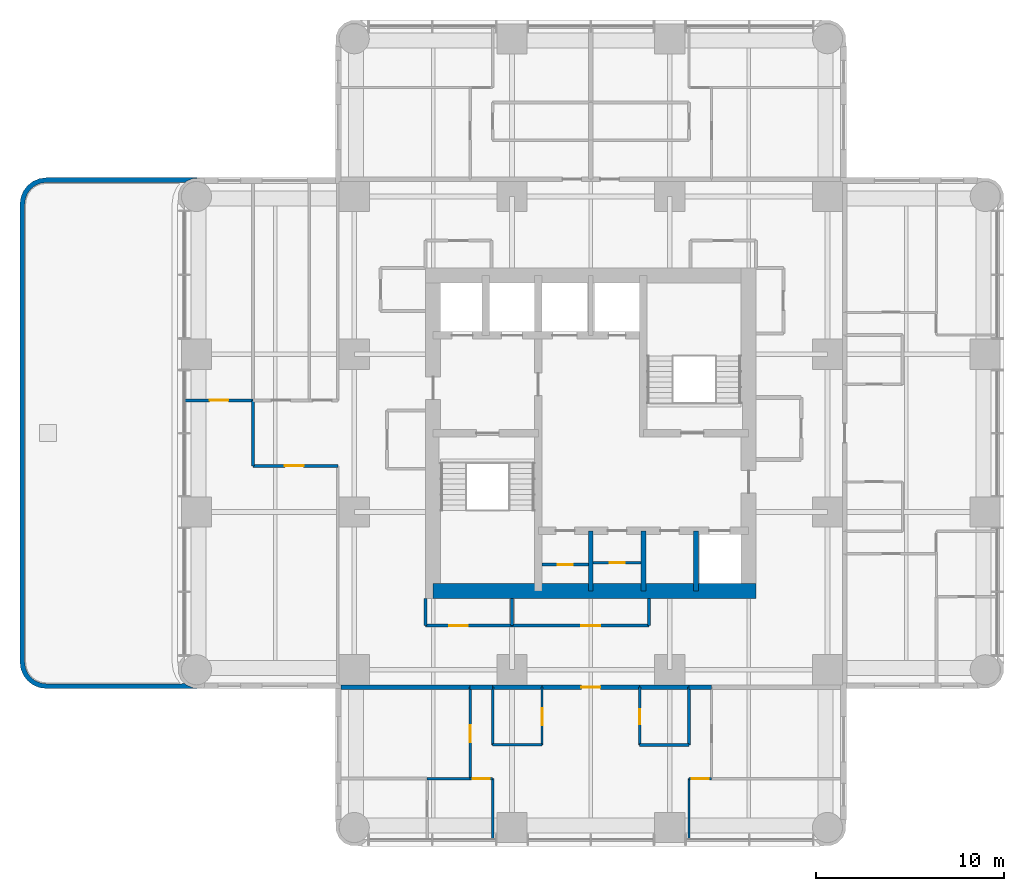
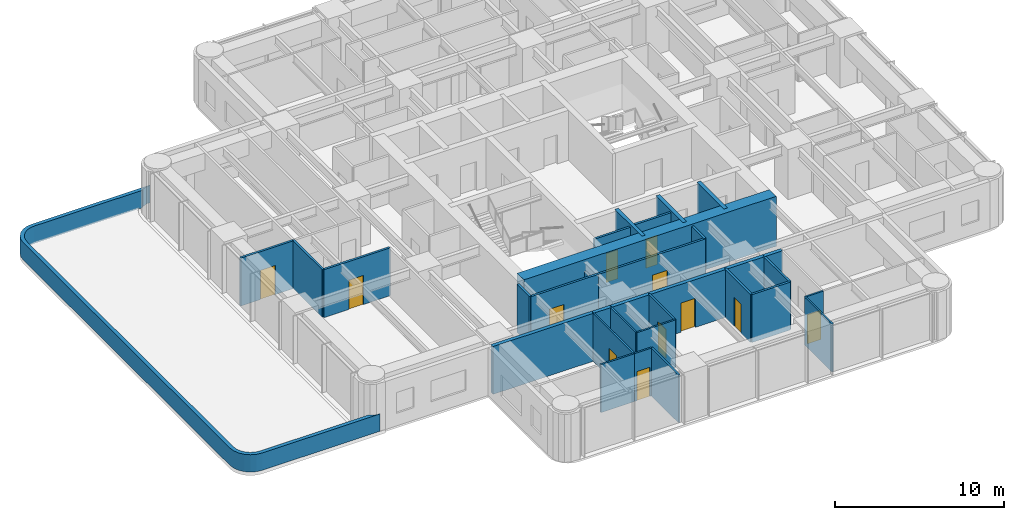
# One storey, part 4 of 9: 33 walls, 12 doors, 12 openings.
"""IFC4 building model written with IfcOpenShell, lengths in metres."""

import ifcopenshell
import ifcopenshell.guid

model = None  # the IFC model being written
_history = None  # IfcOwnerHistory: only IFC2X3 demands one
_inside = {}  # id of a spatial element -> (the spatial element, [elements in it])
_under = {}  # id of a project, library or spatial element -> (it, [spatial elements below it])
_declared = {}  # id of a project -> (the project, [libraries it declares])
_typed = {}  # id of a type object -> (the type object, [elements of that type])
_made_of = {}  # id of a material, layer set ... -> (it, [elements and type objects made of it])


def new_model(schema):
    """Start an empty IFC model of exactly this schema.

    Asked for "IFC4X3", IfcOpenShell would pick the latest addendum, in which some entities
    have other attributes; the version numbers below select the first issue.
    IFC2X3 requires an IfcOwnerHistory on every rooted entity: one is made here for all.
    """
    global model, _history
    if schema == "IFC4X3":
        model = ifcopenshell.file(schema_version=(4, 3, 0, 0))
    else:
        model = ifcopenshell.file(schema=schema)
    _inside.clear()
    _under.clear()
    _declared.clear()
    _typed.clear()
    _made_of.clear()
    _history = None
    if model.schema == "IFC2X3":
        org = make("IfcOrganization", Name="unknown")
        user = make(
            "IfcPersonAndOrganization",
            ThePerson=make("IfcPerson", FamilyName="unknown"),
            TheOrganization=org,
        )
        app = make(
            "IfcApplication",
            ApplicationDeveloper=org,
            Version="unknown",
            ApplicationFullName="unknown",
            ApplicationIdentifier="unknown",
        )
        _history = make(
            "IfcOwnerHistory",
            OwningUser=user,
            OwningApplication=app,
            ChangeAction="ADDED",
            CreationDate=0,
        )
    return model


def make(cls, **values):
    """One entity of the class cls with the attributes given. An attribute that is None is left unset."""
    return model.create_entity(
        cls, **{name: value for name, value in values.items() if value is not None}
    )


def rooted(cls, **values):
    """An entity with a GlobalId (a new one), such as an element, a storey or a relation."""
    return make(cls, GlobalId=ifcopenshell.guid.new(), OwnerHistory=_history, **values)


def si_unit(unit_type, name, prefix=None):
    """IfcSIUnit, for example si_unit("LENGTHUNIT", "METRE", prefix="MILLI")."""
    return make("IfcSIUnit", UnitType=unit_type, Prefix=prefix, Name=name)


def assignment(units):
    """IfcUnitAssignment: the units of a project."""
    return None if units is None else make("IfcUnitAssignment", Units=units)


def point(xyz):
    """IfcCartesianPoint."""
    return None if xyz is None else make("IfcCartesianPoint", Coordinates=xyz)


def direction(xyz):
    """IfcDirection."""
    return None if xyz is None else make("IfcDirection", DirectionRatios=xyz)


def frame(location, z_axis=None, x_axis=None):
    """IfcAxis2Placement3D, a coordinate frame: its origin and axes. An axis left out is left unset."""
    return make(
        "IfcAxis2Placement3D",
        Location=point(location),
        Axis=direction(z_axis),
        RefDirection=direction(x_axis),
    )


def frame_2d(location, x_axis=None):
    """IfcAxis2Placement2D, a coordinate frame in the plane: its origin and x axis."""
    return make(
        "IfcAxis2Placement2D", Location=point(location), RefDirection=direction(x_axis)
    )


def origin():
    """The frame at (0, 0, 0) with its axes left unset."""
    return frame((0.0, 0.0, 0.0))


def place(relative_to, where):
    """IfcLocalPlacement: puts the frame where relative to a parent placement (None: the world)."""
    return make(
        "IfcLocalPlacement", PlacementRelTo=relative_to, RelativePlacement=where
    )


def context(
    kind, dimensions, precision=None, world=None, true_north=None, identifier=None
):
    """IfcGeometricRepresentationContext, for example the 3D "Model" context."""
    return make(
        "IfcGeometricRepresentationContext",
        ContextIdentifier=identifier,
        ContextType=kind,
        CoordinateSpaceDimension=dimensions,
        Precision=precision,
        WorldCoordinateSystem=world,
        TrueNorth=true_north,
    )


def subcontext(parent, identifier, kind, view, scale=None):
    """IfcGeometricRepresentationSubContext, for example "Body" below "Model"."""
    return make(
        "IfcGeometricRepresentationSubContext",
        ContextIdentifier=identifier,
        ContextType=kind,
        ParentContext=parent,
        TargetScale=scale,
        TargetView=view,
    )


def project(units=None, contexts=None):
    """IfcProject with its units and contexts."""
    return rooted(
        "IfcProject",
        Name="project",
        RepresentationContexts=contexts,
        UnitsInContext=assignment(units),
    )


def spatial(cls, under=None, at=None, **own):
    """A site, building, storey or space (cls), placed at a placement, below another one or the project."""
    s = rooted(cls, ObjectPlacement=at, **own)
    if under is not None:
        _under.setdefault(under.id(), (under, []))[1].append(s)
    return s


def polyline(points):
    """IfcPolyline through the points."""
    return make("IfcPolyline", Points=[point(p) for p in points])


def profile(cls, at=None, kind="AREA", **sizes):
    """A parametric profile (cls). Its sizes go by their IFC names, for example OverallWidth=200.0."""
    return make(cls, ProfileType=kind, Position=at, **sizes)


def rectangle(**sizes):
    """IfcRectangleProfileDef."""
    return profile("IfcRectangleProfileDef", **sizes)


def outline(outer, holes=None, kind="AREA"):
    """IfcArbitraryClosedProfileDef: a profile drawn as a closed curve; with holes, ...WithVoids."""
    if holes is None:
        return make("IfcArbitraryClosedProfileDef", ProfileType=kind, OuterCurve=outer)
    return make(
        "IfcArbitraryProfileDefWithVoids",
        ProfileType=kind,
        OuterCurve=outer,
        InnerCurves=holes,
    )


def extrude(swept, where, along, depth):
    """IfcExtrudedAreaSolid: the profile swept, set in the frame where, extruded along a direction by depth."""
    return make(
        "IfcExtrudedAreaSolid",
        SweptArea=swept,
        Position=where,
        ExtrudedDirection=direction(along),
        Depth=depth,
    )


def shape(context_of_items, identifier, shape_type, items):
    """IfcShapeRepresentation: the items that make up one representation, for example the "Body"."""
    return make(
        "IfcShapeRepresentation",
        ContextOfItems=context_of_items,
        RepresentationIdentifier=identifier,
        RepresentationType=shape_type,
        Items=items,
    )


def material(Name=None, Category=None):
    """IfcMaterial."""
    return make("IfcMaterial", Name=Name, Category=Category)


def layer(
    of_material, thickness, ventilated=None, Name=None, Category=None, Priority=None
):
    """IfcMaterialLayer: one layer of a wall or slab, of a material (None: an air gap)."""
    return make(
        "IfcMaterialLayer",
        Material=of_material,
        LayerThickness=thickness,
        IsVentilated=ventilated,
        Name=Name,
        Category=Category,
        Priority=Priority,
    )


def layer_set(layers, Name=None):
    """IfcMaterialLayerSet."""
    return make("IfcMaterialLayerSet", MaterialLayers=layers, LayerSetName=Name)


def made_of(thing, what):
    """Note that an element or type object is made of a material, layer set ...; save() writes the relation."""
    if what is not None:
        _made_of.setdefault(what.id(), (what, []))[1].append(thing)
    return thing


def type_object(cls, material=None, **own):
    """A type object (cls), such as IfcWallType, which elements share."""
    return made_of(rooted(cls, **own), material)


def element(
    cls,
    number,
    at=None,
    inside=None,
    cuts=None,
    type_object=None,
    material=None,
    context=None,
    identifier="Body",
    shape_type=None,
    held_by="IfcProductDefinitionShape",
    body=None,
    shapes=None,
    **own,
):
    """One element of the class cls, such as IfcWall. Its Tag is "e" and its number.

    at: its placement. inside: the storey or other place that contains it. cuts: it is an
    opening in that element (IfcRelVoidsElement). A single representation is given by context,
    identifier, shape_type and body (its items); several are given by shapes. held_by: the class
    of the entity that holds the representations. save() writes the other relations.
    """
    e = rooted(cls, Tag="e%d" % number, ObjectPlacement=at, **own)
    if body is not None:
        shapes = [shape(context, identifier, shape_type, body)]
    if shapes is not None:
        e.Representation = make(held_by, Representations=shapes)
    if inside is not None:
        _inside.setdefault(inside.id(), (inside, []))[1].append(e)
    if cuts is not None:
        rooted(
            "IfcRelVoidsElement", RelatingBuildingElement=cuts, RelatedOpeningElement=e
        )
    if type_object is not None:
        _typed.setdefault(type_object.id(), (type_object, []))[1].append(e)
    return made_of(e, material)


def fill(opening, filler):
    """IfcRelFillsElement: the door or window that sits in an opening."""
    return rooted(
        "IfcRelFillsElement",
        RelatingOpeningElement=opening,
        RelatedBuildingElement=filler,
    )


def aggregate(whole, parts):
    """IfcRelAggregates: a whole, such as a stair, and the parts it consists of."""
    return rooted("IfcRelAggregates", RelatingObject=whole, RelatedObjects=parts)


def save(model, path):
    """Write the relations noted so far, then the file.

    IfcRelAggregates (storeys below a building ...), IfcRelContainedInSpatialStructure (elements
    in a storey), IfcRelDefinesByType, IfcRelAssociatesMaterial and IfcRelDeclares: one each for
    every whole, place, type object, material and project.
    """
    for whole, parts in _under.values():
        aggregate(whole, parts)
    for where, things in _inside.values():
        rooted(
            "IfcRelContainedInSpatialStructure",
            RelatedElements=things,
            RelatingStructure=where,
        )
    for kind, things in _typed.values():
        rooted("IfcRelDefinesByType", RelatedObjects=things, RelatingType=kind)
    for what, things in _made_of.values():
        rooted("IfcRelAssociatesMaterial", RelatedObjects=things, RelatingMaterial=what)
    for by, libraries in _declared.values():
        rooted("IfcRelDeclares", RelatingContext=by, RelatedDefinitions=libraries)
    model.write(path)


model = new_model("IFC4")

# Units and contexts
model_context = context("Model", 3, precision=1e-05, world=origin(), true_north=direction((0.0, 1.0)))
body_context = subcontext(model_context, "Body", "Model", "MODEL_VIEW")
ifc_project = project(units=[si_unit("LENGTHUNIT", "METRE"), si_unit("AREAUNIT", "SQUARE_METRE"), si_unit("VOLUMEUNIT", "CUBIC_METRE"), si_unit("PLANEANGLEUNIT", "RADIAN"), si_unit("MASSUNIT", "GRAM", prefix="KILO")], contexts=[model_context])

# Site, building, storey
site_placement = place(None, origin())
site = spatial("IfcSite", under=ifc_project, at=site_placement, CompositionType="ELEMENT")
building_placement = place(site_placement, origin())
building = spatial("IfcBuilding", under=site, at=building_placement, Name="Torre Alcanfor", CompositionType="ELEMENT")
storey_placement = place(building_placement, frame((0.0, 0.0, 254.10009765625)))
storey = spatial("IfcBuildingStorey", under=building, at=storey_placement, Name="L66", CompositionType="ELEMENT", Elevation=254.10009765625)

# Wall, opening, door
ifc_material_1 = material(Name="Concrete block masonry, hollow blocks NMX-C-404 9 MPa", Category="masonry")
ifc_layer_1 = layer(ifc_material_1, 0.25)
ifc_layer_set_1 = layer_set([ifc_layer_1], Name="Apartment entrance wall 250 EI 60")
wall_type_1 = type_object("IfcWallType", Name="Apartment entrance wall 250 EI 60", PredefinedType="PARTITIONING", material=ifc_layer_set_1)
wall_1_placement = place(storey_placement, frame((32.0, 15.875, 0.0), z_axis=(0.0, 0.0, 1.0), x_axis=(-1.0, 0.0, 0.0)))
wall_1 = element("IfcWall", 1, at=wall_1_placement, inside=storey, type_object=wall_type_1, Name="Partition L66-CORR / L66-SX-ZAG", PredefinedType="PARTITIONING", context=body_context, shape_type="SweptSolid", body=[
    extrude(rectangle(XDim=5.199951171875, YDim=0.25, at=frame_2d((2.60009765625, 0.0))), origin(), (0.0, 0.0, 1.0), 3.449951171875),
])
opening_1_placement = place(wall_1_placement, frame((2.10009765625, 0.0, 0.0)))
opening_1 = element("IfcOpeningElement", 2, at=opening_1_placement, cuts=wall_1, Name="Opening D-A1", PredefinedType="OPENING", context=body_context, shape_type="SweptSolid", body=[
    extrude(rectangle(XDim=1.0, YDim=2.10009765625, at=frame_2d((0.5, 1.050048828125))), frame((0.0, 0.135009765625, 0.0), z_axis=(0.0, -1.0, 0.0), x_axis=(1.0, 0.0, 0.0)), (0.0, 0.0, 1.0), 0.27001953125),
])
ifc_material_2 = material(Name="Galvanised steel sheet ASTM A653", Category="steel")
door_type_1 = type_object("IfcDoorType", Name="Apartment entrance door FD60 1000x2100", OperationType="SINGLE_SWING_LEFT", PredefinedType="DOOR", material=ifc_material_2)
door_1_placement = place(opening_1_placement, origin())
door_1 = element("IfcDoor", 3, at=door_1_placement, inside=storey, type_object=door_type_1, Name="Apartment entrance L66-SX", OperationType="SINGLE_SWING_LEFT", OverallHeight=2.10009765625, OverallWidth=1.0, PredefinedType="DOOR", context=body_context, shape_type="SweptSolid", body=[
    extrude(rectangle(XDim=1.0, YDim=2.10009765625, at=frame_2d((0.5, 1.050048828125))), frame((0.0, 0.02490234375, 0.0), z_axis=(0.0, -1.0, 0.0), x_axis=(1.0, 0.0, 0.0)), (0.0, 0.0, 1.0), 0.050048828125),
])
fill(opening_1, door_1)

# Walls
wall_2_placement = place(storey_placement, frame((34.62890625, 15.875, 0.0), z_axis=(0.0, 0.0, 1.0), x_axis=(-1.0, 0.0, 0.0)))
element("IfcWall", 4, at=wall_2_placement, inside=storey, type_object=wall_type_1, Name="Partition L66-CORR / L66-SX-BATH2", PredefinedType="PARTITIONING", context=body_context, shape_type="SweptSolid", body=[
    extrude(rectangle(XDim=2.62890625, YDim=0.25, at=frame_2d((1.314453125, 0.0))), origin(), (0.0, 0.0, 1.0), 3.449951171875),
])
wall_3_placement = place(storey_placement, frame((26.800048828125, 15.875, 0.0), z_axis=(0.0, 0.0, 1.0), x_axis=(-1.0, 0.0, 0.0)))
element("IfcWall", 5, at=wall_3_placement, inside=storey, type_object=wall_type_1, Name="Partition L66-CORR / L66-SX-KITCHEN", PredefinedType="PARTITIONING", context=body_context, shape_type="SweptSolid", body=[
    extrude(rectangle(XDim=2.629150390625, YDim=0.25, at=frame_2d((1.314453125, 0.0))), origin(), (0.0, 0.0, 1.0), 3.449951171875),
])
wall_4_placement = place(storey_placement, frame((24.1708984375, 15.875, 0.0), z_axis=(0.0, 0.0, 1.0), x_axis=(-1.0, 0.0, 0.0)))
element("IfcWall", 6, at=wall_4_placement, inside=storey, type_object=wall_type_1, Name="Partition L66-CORR / L66-SX-LIVING", PredefinedType="PARTITIONING", context=body_context, shape_type="SweptSolid", body=[
    extrude(rectangle(XDim=1.199951171875, YDim=0.25, at=frame_2d((0.60009765625, 0.0))), origin(), (0.0, 0.0, 1.0), 3.449951171875),
])
wall_5_placement = place(storey_placement, frame((35.8291015625, 15.875, 0.0), z_axis=(0.0, 0.0, 1.0), x_axis=(-1.0, 0.0, 0.0)))
element("IfcWall", 7, at=wall_5_placement, inside=storey, type_object=wall_type_1, Name="Partition L66-CORR / L66-SX-LIVING", PredefinedType="PARTITIONING", context=body_context, shape_type="SweptSolid", body=[
    extrude(rectangle(XDim=1.2001953125, YDim=0.25, at=frame_2d((0.60009765625, 0.0))), origin(), (0.0, 0.0, 1.0), 3.449951171875),
])
wall_6_placement = place(storey_placement, frame((22.970947265625, 15.875, 0.0), z_axis=(0.0, 0.0, 1.0), x_axis=(-1.0, 0.0, 0.0)))
element("IfcWall", 8, at=wall_6_placement, inside=storey, type_object=wall_type_1, Name="Partition L66-CORR / L66-SX-BED3", PredefinedType="PARTITIONING", context=body_context, shape_type="SweptSolid", body=[
    extrude(rectangle(XDim=6.870849609375, YDim=0.25, at=frame_2d((3.435546875, 0.0))), origin(), (0.0, 0.0, 1.0), 3.449951171875),
])

# Wall, opening, door
ifc_material_3 = material(Name="Gypsum board on steel studs", Category="steel")
ifc_layer_2 = layer(ifc_material_3, 0.1201171875)
ifc_layer_set_2 = layer_set([ifc_layer_2], Name="Apartment partition 120")
wall_type_2 = type_object("IfcWallType", Name="Apartment partition 120", PredefinedType="PARTITIONING", material=ifc_layer_set_2)
wall_7_placement = place(storey_placement, frame((26.800048828125, 15.875, 0.0), z_axis=(0.0, 0.0, 1.0), x_axis=(0.0, -1.0, 0.0)))
wall_7 = element("IfcWall", 9, at=wall_7_placement, inside=storey, type_object=wall_type_2, Name="Partition L66-SX-ZAG / L66-SX-KITCHEN", PredefinedType="PARTITIONING", context=body_context, shape_type="SweptSolid", body=[
    extrude(rectangle(XDim=3.074951171875, YDim=0.1201171875, at=frame_2d((1.53759765625, 0.0))), origin(), (0.0, 0.0, 1.0), 3.449951171875),
])
opening_2_placement = place(wall_7_placement, frame((1.125, 0.0, 0.0)))
opening_2 = element("IfcOpeningElement", 10, at=opening_2_placement, cuts=wall_7, Name="Opening D-R1", PredefinedType="OPENING", context=body_context, shape_type="SweptSolid", body=[
    extrude(rectangle(XDim=0.89990234375, YDim=2.10009765625, at=frame_2d((0.449951171875, 1.050048828125))), frame((0.0, 0.070068359375, 0.0), z_axis=(0.0, -1.0, 0.0), x_axis=(1.0, 0.0, 0.0)), (0.0, 0.0, 1.0), 0.14013671875),
])
ifc_material_4 = material(Name="Timber", Category="wood")
door_type_2 = type_object("IfcDoorType", Name="Internal door 900x2100", OperationType="SINGLE_SWING_LEFT", PredefinedType="DOOR", material=ifc_material_4)
door_2_placement = place(opening_2_placement, frame((0.89990234375, 0.0, 0.0), z_axis=(0.0, 0.0, 1.0), x_axis=(-1.0, 0.0, 0.0)))
door_2 = element("IfcDoor", 11, at=door_2_placement, inside=storey, type_object=door_type_2, Name="Door L66-SX kitchen", OperationType="SINGLE_SWING_LEFT", OverallHeight=2.10009765625, OverallWidth=0.89990234375, PredefinedType="DOOR", context=body_context, shape_type="SweptSolid", body=[
    extrude(rectangle(XDim=0.89990234375, YDim=2.10009765625, at=frame_2d((0.449951171875, 1.050048828125))), frame((0.0, 0.025146484375, 0.0), z_axis=(0.0, -1.0, 0.0), x_axis=(1.0, 0.0, 0.0)), (0.0, 0.0, 1.0), 0.050048828125),
])
fill(opening_2, door_2)

# Walls
wall_8_placement = place(storey_placement, frame((24.1708984375, 15.875, 0.0), z_axis=(0.0, 0.0, 1.0), x_axis=(0.0, -1.0, 0.0)))
element("IfcWall", 12, at=wall_8_placement, inside=storey, type_object=wall_type_2, Name="Partition L66-SX-KITCHEN / L66-SX-LIVING", PredefinedType="PARTITIONING", context=body_context, shape_type="SweptSolid", body=[
    extrude(rectangle(XDim=3.074951171875, YDim=0.1201171875, at=frame_2d((1.53759765625, 0.0))), origin(), (0.0, 0.0, 1.0), 3.449951171875),
])
wall_9_placement = place(storey_placement, frame((24.1708984375, 12.800048828125, 0.0), z_axis=(0.0, 0.0, 1.0), x_axis=(1.0, 0.0, 0.0)))
element("IfcWall", 13, at=wall_9_placement, inside=storey, type_object=wall_type_2, Name="Partition L66-SX-KITCHEN / L66-SX-LIVING", PredefinedType="PARTITIONING", context=body_context, shape_type="SweptSolid", body=[
    extrude(rectangle(XDim=2.629150390625, YDim=0.1201171875, at=frame_2d((1.314453125, 0.0))), origin(), (0.0, 0.0, 1.0), 3.449951171875),
])

# Wall, opening, door
wall_10_placement = place(storey_placement, frame((35.8291015625, 11.0, 0.0), z_axis=(0.0, 0.0, 1.0), x_axis=(-1.0, 0.0, 0.0)))
wall_10 = element("IfcWall", 14, at=wall_10_placement, inside=storey, type_object=wall_type_2, Name="Partition L66-SX-LIVING / L66-SX-MASTER", PredefinedType="PARTITIONING", context=body_context, shape_type="SweptSolid", body=[
    extrude(rectangle(XDim=1.2001953125, YDim=0.1201171875, at=frame_2d((0.60009765625, 0.0))), origin(), (0.0, 0.0, 1.0), 3.449951171875),
])
opening_3_placement = place(wall_10_placement, frame((0.14892578125, 0.0, 0.0)))
opening_3 = element("IfcOpeningElement", 15, at=opening_3_placement, cuts=wall_10, Name="Opening D-R1", PredefinedType="OPENING", context=body_context, shape_type="SweptSolid", body=[
    extrude(rectangle(XDim=0.89990234375, YDim=2.10009765625, at=frame_2d((0.449951171875, 1.050048828125))), frame((0.0, 0.070068359375, 0.0), z_axis=(0.0, -1.0, 0.0), x_axis=(1.0, 0.0, 0.0)), (0.0, 0.0, 1.0), 0.14013671875),
])
door_3_placement = place(opening_3_placement, origin())
door_3 = element("IfcDoor", 16, at=door_3_placement, inside=storey, type_object=door_type_2, Name="Door L66-SX master", OperationType="SINGLE_SWING_RIGHT", OverallHeight=2.10009765625, OverallWidth=0.89990234375, PredefinedType="DOOR", context=body_context, shape_type="SweptSolid", body=[
    extrude(rectangle(XDim=0.89990234375, YDim=2.10009765625, at=frame_2d((0.449951171875, 1.050048828125))), frame((0.0, 0.02490234375, 0.0), z_axis=(0.0, -1.0, 0.0), x_axis=(1.0, 0.0, 0.0)), (0.0, 0.0, 1.0), 0.050048828125),
])
fill(opening_3, door_3)

# Wall
wall_11_placement = place(storey_placement, frame((34.62890625, 11.0, 0.0), z_axis=(0.0, 0.0, 1.0), x_axis=(0.0, -1.0, 0.0)))
element("IfcWall", 17, at=wall_11_placement, inside=storey, type_object=wall_type_2, Name="Partition L66-SX-LIVING / L66-SX-MASTER", PredefinedType="PARTITIONING", context=body_context, shape_type="SweptSolid", body=[
    extrude(rectangle(XDim=3.25, YDim=0.1201171875, at=frame_2d((1.625, 0.0))), origin(), (0.0, 0.0, 1.0), 3.449951171875),
])

# Wall, opening, door
wall_12_placement = place(storey_placement, frame((22.970947265625, 11.0, 0.0), z_axis=(0.0, 0.0, 1.0), x_axis=(0.0, 1.0, 0.0)))
wall_12 = element("IfcWall", 18, at=wall_12_placement, inside=storey, type_object=wall_type_2, Name="Partition L66-SX-LIVING / L66-SX-BED3", PredefinedType="PARTITIONING", context=body_context, shape_type="SweptSolid", body=[
    extrude(rectangle(XDim=4.875, YDim=0.1201171875, at=frame_2d((2.4375, 0.0))), origin(), (0.0, 0.0, 1.0), 3.449951171875),
])
opening_4_placement = place(wall_12_placement, frame((1.949951171875, 0.0, 0.0)))
opening_4 = element("IfcOpeningElement", 19, at=opening_4_placement, cuts=wall_12, Name="Opening D-R1", PredefinedType="OPENING", context=body_context, shape_type="SweptSolid", body=[
    extrude(rectangle(XDim=0.89990234375, YDim=2.10009765625, at=frame_2d((0.449951171875, 1.050048828125))), frame((0.0, 0.070068359375, 0.0), z_axis=(0.0, -1.0, 0.0), x_axis=(1.0, 0.0, 0.0)), (0.0, 0.0, 1.0), 0.14013671875),
])
door_4_placement = place(opening_4_placement, origin())
door_4 = element("IfcDoor", 20, at=door_4_placement, inside=storey, type_object=door_type_2, Name="Door L66-SX bed3", OperationType="SINGLE_SWING_LEFT", OverallHeight=2.10009765625, OverallWidth=0.89990234375, PredefinedType="DOOR", context=body_context, shape_type="SweptSolid", body=[
    extrude(rectangle(XDim=0.89990234375, YDim=2.10009765625, at=frame_2d((0.449951171875, 1.050048828125))), frame((0.0, 0.02490234375, 0.0), z_axis=(0.0, -1.0, 0.0), x_axis=(1.0, 0.0, 0.0)), (0.0, 0.0, 1.0), 0.050048828125),
])
fill(opening_4, door_4)

# Wall
wall_13_placement = place(storey_placement, frame((24.1708984375, 7.75, 0.0), z_axis=(0.0, 0.0, 1.0), x_axis=(0.0, 1.0, 0.0)))
element("IfcWall", 21, at=wall_13_placement, inside=storey, type_object=wall_type_2, Name="Partition L66-SX-LIVING / L66-SX-BED1", PredefinedType="PARTITIONING", context=body_context, shape_type="SweptSolid", body=[
    extrude(rectangle(XDim=3.25, YDim=0.1201171875, at=frame_2d((1.625, 0.0))), origin(), (0.0, 0.0, 1.0), 3.449951171875),
])

# Wall, opening, door
wall_14_placement = place(storey_placement, frame((24.1708984375, 11.0, 0.0), z_axis=(0.0, 0.0, 1.0), x_axis=(-1.0, 0.0, 0.0)))
wall_14 = element("IfcWall", 22, at=wall_14_placement, inside=storey, type_object=wall_type_2, Name="Partition L66-SX-LIVING / L66-SX-BED1", PredefinedType="PARTITIONING", context=body_context, shape_type="SweptSolid", body=[
    extrude(rectangle(XDim=1.199951171875, YDim=0.1201171875, at=frame_2d((0.60009765625, 0.0))), origin(), (0.0, 0.0, 1.0), 3.449951171875),
])
opening_5_placement = place(wall_14_placement, frame((0.15087890625, 0.0, 0.0)))
opening_5 = element("IfcOpeningElement", 23, at=opening_5_placement, cuts=wall_14, Name="Opening D-R1", PredefinedType="OPENING", context=body_context, shape_type="SweptSolid", body=[
    extrude(rectangle(XDim=0.89990234375, YDim=2.10009765625, at=frame_2d((0.449951171875, 1.050048828125))), frame((0.0, 0.070068359375, 0.0), z_axis=(0.0, -1.0, 0.0), x_axis=(1.0, 0.0, 0.0)), (0.0, 0.0, 1.0), 0.14013671875),
])
door_5_placement = place(opening_5_placement, origin())
door_5 = element("IfcDoor", 24, at=door_5_placement, inside=storey, type_object=door_type_2, Name="Door L66-SX bed1", OperationType="SINGLE_SWING_LEFT", OverallHeight=2.10009765625, OverallWidth=0.89990234375, PredefinedType="DOOR", context=body_context, shape_type="SweptSolid", body=[
    extrude(rectangle(XDim=0.89990234375, YDim=2.10009765625, at=frame_2d((0.449951171875, 1.050048828125))), frame((0.0, 0.02490234375, 0.0), z_axis=(0.0, -1.0, 0.0), x_axis=(1.0, 0.0, 0.0)), (0.0, 0.0, 1.0), 0.050048828125),
])
fill(opening_5, door_5)

# Walls
wall_15_placement = place(storey_placement, frame((20.68603515625, 11.0, 0.0), z_axis=(0.0, 0.0, 1.0), x_axis=(1.0, 0.0, 0.0)))
element("IfcWall", 25, at=wall_15_placement, inside=storey, type_object=wall_type_2, Name="Partition L66-SX-BED3 / L66-SX-BED1", PredefinedType="PARTITIONING", context=body_context, shape_type="SweptSolid", body=[
    extrude(rectangle(XDim=2.284912109375, YDim=0.1201171875, at=frame_2d((1.142578125, 0.0))), origin(), (0.0, 0.0, 1.0), 3.449951171875),
])
ifc_material_5 = material(Name="Concrete f'c 70 MPa", Category="concrete")
ifc_layer_3 = layer(ifc_material_5, 0.25)
ifc_layer_set_3 = layer_set([ifc_layer_3], Name="Core shaft wall 250 f'c70")
wall_type_3 = type_object("IfcWallType", Name="Core shaft wall 250 f'c70", PredefinedType="SHEAR", material=ifc_layer_set_3)
for number, where, z_axis, x_axis, name in (
    (26, (29.39990234375, 21.0, 0.0), (0.0, 0.0, 1.0), (0.0, 1.0, 0.0), "Core wall X294S L66"),
    (27, (32.199951171875, 21.0, 0.0), (0.0, 0.0, 1.0), (0.0, 1.0, 0.0), "Core wall X322S L66"),
    (28, (35.0, 21.0, 0.0), (0.0, 0.0, 1.0), (0.0, 1.0, 0.0), "Core wall X350S L66"),
):
    element("IfcWall", number, at=place(storey_placement, frame(where, z_axis=z_axis, x_axis=x_axis)), inside=storey, type_object=wall_type_3, Name=name, PredefinedType="SHEAR", context=body_context, shape_type="SweptSolid", body=[
        extrude(rectangle(XDim=3.199951171875, YDim=0.25, at=frame_2d((1.60009765625, 0.0))), origin(), (0.0, 0.0, 1.0), 3.599853515625),
    ])
ifc_material_6 = material(Name="Concrete f'c 70 MPa", Category="concrete")
ifc_layer_4 = layer(ifc_material_6, 0.800048828125)
ifc_layer_set_4 = layer_set([ifc_layer_4], Name="Core wall 800 f'c70")
wall_type_4 = type_object("IfcWallType", Name="Core wall 800 f'c70", PredefinedType="SHEAR", material=ifc_layer_set_4)
wall_16_placement = place(storey_placement, frame((21.0, 21.0, 0.0), z_axis=(0.0, 0.0, 1.0), x_axis=(1.0, 0.0, 0.0)))
element("IfcWall", 29, at=wall_16_placement, inside=storey, type_object=wall_type_4, Name="Core wall OUT-S L66", PredefinedType="SHEAR", context=body_context, shape_type="SweptSolid", body=[
    extrude(rectangle(XDim=17.199951171875, YDim=0.800048828125, at=frame_2d((8.60009765625, 0.0))), origin(), (0.0, 0.0, 1.0), 3.599853515625),
])
ifc_material_7 = material(Name="Limestone cladding", Category="masonry")
ifc_layer_5 = layer(ifc_material_7, 0.0400390625, Name="Facing")
ifc_material_8 = material(Name="Ventilated air cavity")
ifc_layer_6 = layer(ifc_material_8, 0.02001953125, ventilated=True, Name="Ventilated joint")
ifc_material_9 = material(Name="Concrete f'c 35 MPa", Category="concrete")
ifc_layer_7 = layer(ifc_material_9, 0.18994140625, Name="Backing")
ifc_layer_set_5 = layer_set([ifc_layer_5, ifc_layer_6, ifc_layer_7], Name="Parapet stone-clad 250")
wall_type_5 = type_object("IfcWallType", Name="Parapet stone-clad 250", PredefinedType="PARAPET", material=ifc_layer_set_5)
wall_17_placement = place(storey_placement, origin())
element("IfcWall", 30, at=wall_17_placement, inside=storey, type_object=wall_type_5, Name="Parapet L66 1", PredefinedType="PARAPET", context=body_context, shape_type="SweptSolid", body=[
    extrude(outline(polyline([(-0.300048828125, 15.987548828125), (-0.58984375, 16.210205078125), (-0.8125, 16.5), (-0.952392578125, 16.837646484375), (-1.0, 17.199951171875), (-1.0, 41.60009765625), (-0.952392578125, 41.96240234375), (-0.8125, 42.300048828125), (-0.58984375, 42.58984375), (-0.300048828125, 42.8125), (0.03759765625, 42.952392578125), (0.39990234375, 43.0), (8.422607421875, 43.0), (8.422607421875, 42.9599609375), (8.208984375, 42.9599609375), (7.856201171875, 42.813720703125), (7.782470703125, 42.739990234375), (7.610107421875, 42.739990234375), (7.617919921875, 42.75), (0.41650390625, 42.75), (0.10302734375, 42.708740234375), (-0.173828125, 42.593994140625), (-0.41162109375, 42.41162109375), (-0.593994140625, 42.173828125), (-0.708740234375, 41.89697265625), (-0.75, 41.58349609375), (-0.75, 17.21630859375), (-0.708740234375, 16.903076171875), (-0.593994140625, 16.626220703125), (-0.41162109375, 16.388427734375), (-0.173828125, 16.2060546875), (0.10302734375, 16.09130859375), (0.41650390625, 16.050048828125), (7.617919921875, 16.050048828125), (7.610107421875, 16.06005859375), (7.782470703125, 16.06005859375), (7.856201171875, 15.986083984375), (8.208984375, 15.840087890625), (8.422607421875, 15.840087890625), (8.422607421875, 15.800048828125), (0.39990234375, 15.800048828125), (0.03759765625, 15.84765625), (-0.300048828125, 15.987548828125)])), origin(), (0.0, 0.0, 1.0), 1.25),
])
ifc_material_10 = material(Name="Concrete block masonry, hollow blocks NMX-C-404 9 MPa", Category="masonry")
ifc_layer_8 = layer(ifc_material_10, 0.14990234375)
ifc_layer_set_6 = layer_set([ifc_layer_8], Name="Residents' room partition 150")
wall_type_6 = type_object("IfcWallType", Name="Residents' room partition 150", PredefinedType="PARTITIONING", material=ifc_layer_set_6)
wall_18_placement = place(storey_placement, frame((20.60009765625, 20.60009765625, 0.0), z_axis=(0.0, 0.0, 1.0), x_axis=(0.0, -1.0, 0.0)))
element("IfcWall", 31, at=wall_18_placement, inside=storey, type_object=wall_type_6, Name="Partition L66-CORR / L66-G05", PredefinedType="PARTITIONING", context=body_context, shape_type="SweptSolid", body=[
    extrude(rectangle(XDim=1.4501953125, YDim=0.14990234375, at=frame_2d((0.72509765625, 0.0))), origin(), (0.0, 0.0, 1.0), 3.449951171875),
])

# Wall, opening, door
wall_19_placement = place(storey_placement, frame((20.60009765625, 19.14990234375, 0.0), z_axis=(0.0, 0.0, 1.0), x_axis=(1.0, 0.0, 0.0)))
wall_19 = element("IfcWall", 32, at=wall_19_placement, inside=storey, type_object=wall_type_6, Name="Partition L66-CORR / L66-G05", PredefinedType="PARTITIONING", context=body_context, shape_type="SweptSolid", body=[
    extrude(rectangle(XDim=4.599853515625, YDim=0.14990234375, at=frame_2d((2.2998046875, 0.0))), origin(), (0.0, 0.0, 1.0), 3.449951171875),
])
opening_6_placement = place(wall_19_placement, frame((1.25, 0.0, 0.0)))
opening_6 = element("IfcOpeningElement", 33, at=opening_6_placement, cuts=wall_19, Name="Opening D-M1", PredefinedType="OPENING", context=body_context, shape_type="SweptSolid", body=[
    extrude(rectangle(XDim=1.0, YDim=2.10009765625, at=frame_2d((0.5, 1.050048828125))), frame((0.0, 0.0849609375, 0.0), z_axis=(0.0, -1.0, 0.0), x_axis=(1.0, 0.0, 0.0)), (0.0, 0.0, 1.0), 0.169921875),
])
ifc_material_11 = material(Name="Timber", Category="wood")
door_type_3 = type_object("IfcDoorType", Name="Residents' room door 1000x2100", OperationType="SINGLE_SWING_LEFT", PredefinedType="DOOR", material=ifc_material_11)
door_6_placement = place(opening_6_placement, origin())
door_6 = element("IfcDoor", 34, at=door_6_placement, inside=storey, type_object=door_type_3, Name="Door L66-G05 parcel room", OperationType="SINGLE_SWING_LEFT", OverallHeight=2.10009765625, OverallWidth=1.0, PredefinedType="DOOR", context=body_context, shape_type="SweptSolid", body=[
    extrude(rectangle(XDim=1.0, YDim=2.10009765625, at=frame_2d((0.5, 1.050048828125))), frame((0.0, 0.02490234375, 0.0), z_axis=(0.0, -1.0, 0.0), x_axis=(1.0, 0.0, 0.0)), (0.0, 0.0, 1.0), 0.050048828125),
])
fill(opening_6, door_6)

wall_20_placement = place(storey_placement, frame((25.199951171875, 19.14990234375, 0.0), z_axis=(0.0, 0.0, 1.0), x_axis=(1.0, 0.0, 0.0)))
wall_20 = element("IfcWall", 35, at=wall_20_placement, inside=storey, type_object=wall_type_6, Name="Partition L66-CORR / L66-G06", PredefinedType="PARTITIONING", context=body_context, shape_type="SweptSolid", body=[
    extrude(rectangle(XDim=7.300048828125, YDim=0.14990234375, at=frame_2d((3.64990234375, 0.0))), origin(), (0.0, 0.0, 1.0), 3.449951171875),
])
opening_7_placement = place(wall_20_placement, frame((3.699951171875, 0.0, 0.0)))
opening_7 = element("IfcOpeningElement", 36, at=opening_7_placement, cuts=wall_20, Name="Opening D-M1", PredefinedType="OPENING", context=body_context, shape_type="SweptSolid", body=[
    extrude(rectangle(XDim=1.0, YDim=2.10009765625, at=frame_2d((0.5, 1.050048828125))), frame((0.0, 0.0849609375, 0.0), z_axis=(0.0, -1.0, 0.0), x_axis=(1.0, 0.0, 0.0)), (0.0, 0.0, 1.0), 0.169921875),
])
door_7_placement = place(opening_7_placement, origin())
door_7 = element("IfcDoor", 37, at=door_7_placement, inside=storey, type_object=door_type_3, Name="Door L66-G06 hobby room", OperationType="SINGLE_SWING_RIGHT", OverallHeight=2.10009765625, OverallWidth=1.0, PredefinedType="DOOR", context=body_context, shape_type="SweptSolid", body=[
    extrude(rectangle(XDim=1.0, YDim=2.10009765625, at=frame_2d((0.5, 1.050048828125))), frame((0.0, 0.02490234375, 0.0), z_axis=(0.0, -1.0, 0.0), x_axis=(1.0, 0.0, 0.0)), (0.0, 0.0, 1.0), 0.050048828125),
])
fill(opening_7, door_7)

# Walls
wall_21_placement = place(storey_placement, frame((32.5, 19.14990234375, 0.0), z_axis=(0.0, 0.0, 1.0), x_axis=(0.0, 1.0, 0.0)))
element("IfcWall", 38, at=wall_21_placement, inside=storey, type_object=wall_type_6, Name="Partition L66-CORR / L66-G06", PredefinedType="PARTITIONING", context=body_context, shape_type="SweptSolid", body=[
    extrude(rectangle(XDim=1.4501953125, YDim=0.14990234375, at=frame_2d((0.72509765625, 0.0))), origin(), (0.0, 0.0, 1.0), 3.449951171875),
])
wall_22_placement = place(storey_placement, frame((25.199951171875, 19.14990234375, 0.0), z_axis=(0.0, 0.0, 1.0), x_axis=(0.0, 1.0, 0.0)))
element("IfcWall", 39, at=wall_22_placement, inside=storey, type_object=wall_type_6, Name="Partition L66-G05 / L66-G06", PredefinedType="PARTITIONING", context=body_context, shape_type="SweptSolid", body=[
    extrude(rectangle(XDim=1.4501953125, YDim=0.14990234375, at=frame_2d((0.72509765625, 0.0))), origin(), (0.0, 0.0, 1.0), 2.7666015625),
])
wall_23_placement = place(storey_placement, frame((11.39990234375, 31.14306640625, 0.0), z_axis=(0.0, 0.0, 1.0), x_axis=(0.0, -1.0, 0.0)))
element("IfcWall", 40, at=wall_23_placement, inside=storey, type_object=wall_type_6, Name="Partition L66-W-ACORR / L66-W-LOUNGE", PredefinedType="PARTITIONING", context=body_context, shape_type="SweptSolid", body=[
    extrude(rectangle(XDim=3.486083984375, YDim=0.14990234375, at=frame_2d((1.7431640625, 0.0))), origin(), (0.0, 0.0, 1.0), 3.449951171875),
])

# Wall, opening, door
wall_24_placement = place(storey_placement, frame((11.39990234375, 27.656982421875, 0.0), z_axis=(0.0, 0.0, 1.0), x_axis=(1.0, 0.0, 0.0)))
wall_24 = element("IfcWall", 41, at=wall_24_placement, inside=storey, type_object=wall_type_6, Name="Partition L66-W-ACORR / L66-W-LOUNGE", PredefinedType="PARTITIONING", context=body_context, shape_type="SweptSolid", body=[
    extrude(rectangle(XDim=4.525146484375, YDim=0.14990234375, at=frame_2d((2.2626953125, 0.0))), origin(), (0.0, 0.0, 1.0), 3.449951171875),
])
opening_8_placement = place(wall_24_placement, frame((1.699951171875, 0.0, 0.0)))
opening_8 = element("IfcOpeningElement", 42, at=opening_8_placement, cuts=wall_24, Name="Opening D-M1", PredefinedType="OPENING", context=body_context, shape_type="SweptSolid", body=[
    extrude(rectangle(XDim=1.0, YDim=2.10009765625, at=frame_2d((0.5, 1.050048828125))), frame((0.0, 0.0849609375, 0.0), z_axis=(0.0, -1.0, 0.0), x_axis=(1.0, 0.0, 0.0)), (0.0, 0.0, 1.0), 0.169921875),
])
door_8_placement = place(opening_8_placement, frame((1.0, 0.0, 0.0), z_axis=(0.0, 0.0, 1.0), x_axis=(-1.0, 0.0, 0.0)))
door_8 = element("IfcDoor", 43, at=door_8_placement, inside=storey, type_object=door_type_3, Name="Door L66 W lounge", OperationType="SINGLE_SWING_RIGHT", OverallHeight=2.10009765625, OverallWidth=1.0, PredefinedType="DOOR", context=body_context, shape_type="SweptSolid", body=[
    extrude(rectangle(XDim=1.0, YDim=2.10009765625, at=frame_2d((0.5, 1.050048828125))), frame((0.0, 0.025146484375, 0.0), z_axis=(0.0, -1.0, 0.0), x_axis=(1.0, 0.0, 0.0)), (0.0, 0.0, 1.0), 0.050048828125),
])
fill(opening_8, door_8)

wall_25_placement = place(storey_placement, frame((7.75, 31.14306640625, 0.0), z_axis=(0.0, 0.0, 1.0), x_axis=(1.0, 0.0, 0.0)))
wall_25 = element("IfcWall", 44, at=wall_25_placement, inside=storey, type_object=wall_type_6, Name="Partition L66-W-LOUNGE / L66-W-WGARD", PredefinedType="PARTITIONING", context=body_context, shape_type="SweptSolid", body=[
    extrude(rectangle(XDim=3.64990234375, YDim=0.14990234375, at=frame_2d((1.824951171875, 0.0))), origin(), (0.0, 0.0, 1.0), 3.449951171875),
])
opening_9_placement = place(wall_25_placement, frame((1.35009765625, 0.0, 0.0)))
opening_9 = element("IfcOpeningElement", 45, at=opening_9_placement, cuts=wall_25, Name="Opening D-M1", PredefinedType="OPENING", context=body_context, shape_type="SweptSolid", body=[
    extrude(rectangle(XDim=1.0, YDim=2.10009765625, at=frame_2d((0.5, 1.050048828125))), frame((0.0, 0.0849609375, 0.0), z_axis=(0.0, -1.0, 0.0), x_axis=(1.0, 0.0, 0.0)), (0.0, 0.0, 1.0), 0.169921875),
])
door_9_placement = place(opening_9_placement, origin())
door_9 = element("IfcDoor", 46, at=door_9_placement, inside=storey, type_object=door_type_3, Name="Door L66 W wgard", OperationType="SINGLE_SWING_RIGHT", OverallHeight=2.10009765625, OverallWidth=1.0, PredefinedType="DOOR", context=body_context, shape_type="SweptSolid", body=[
    extrude(rectangle(XDim=1.0, YDim=2.10009765625, at=frame_2d((0.5, 1.050048828125))), frame((0.0, 0.02490234375, 0.0), z_axis=(0.0, -1.0, 0.0), x_axis=(1.0, 0.0, 0.0)), (0.0, 0.0, 1.0), 0.050048828125),
])
fill(opening_9, door_9)

wall_26_placement = place(storey_placement, frame((26.800048828125, 22.39990234375, 0.0), z_axis=(0.0, 0.0, 1.0), x_axis=(1.0, 0.0, 0.0)))
wall_26 = element("IfcWall", 47, at=wall_26_placement, inside=storey, type_object=wall_type_6, Name="Partition L66-PA1R / L66-PA1C", PredefinedType="PARTITIONING", context=body_context, shape_type="SweptSolid", body=[
    extrude(rectangle(XDim=2.474853515625, YDim=0.14990234375, at=frame_2d((1.2373046875, 0.0))), origin(), (0.0, 0.0, 1.0), 3.449951171875),
])
opening_10_placement = place(wall_26_placement, frame((0.83740234375, 0.0, 0.0)))
opening_10 = element("IfcOpeningElement", 48, at=opening_10_placement, cuts=wall_26, Name="Opening D-R2", PredefinedType="OPENING", context=body_context, shape_type="SweptSolid", body=[
    extrude(rectangle(XDim=0.800048828125, YDim=2.10009765625, at=frame_2d((0.39990234375, 1.050048828125))), frame((0.0, 0.0849609375, 0.0), z_axis=(0.0, -1.0, 0.0), x_axis=(1.0, 0.0, 0.0)), (0.0, 0.0, 1.0), 0.169921875),
])
ifc_material_12 = material(Name="Timber", Category="wood")
door_type_4 = type_object("IfcDoorType", Name="Bathroom door 800x2100", OperationType="SINGLE_SWING_LEFT", PredefinedType="DOOR", material=ifc_material_12)
door_10_placement = place(opening_10_placement, origin())
door_10 = element("IfcDoor", 49, at=door_10_placement, inside=storey, type_object=door_type_4, Name="Linen cupboard door L66", OperationType="SINGLE_SWING_LEFT", OverallHeight=2.10009765625, OverallWidth=0.800048828125, PredefinedType="DOOR", context=body_context, shape_type="SweptSolid", body=[
    extrude(rectangle(XDim=0.800048828125, YDim=2.10009765625, at=frame_2d((0.39990234375, 1.050048828125))), frame((0.0, 0.02490234375, 0.0), z_axis=(0.0, -1.0, 0.0), x_axis=(1.0, 0.0, 0.0)), (0.0, 0.0, 1.0), 0.050048828125),
])
fill(opening_10, door_10)

wall_27_placement = place(storey_placement, frame((29.52490234375, 22.5, 0.0), z_axis=(0.0, 0.0, 1.0), x_axis=(1.0, 0.0, 0.0)))
wall_27 = element("IfcWall", 50, at=wall_27_placement, inside=storey, type_object=wall_type_6, Name="Partition L66-PA2R / L66-PA2C", PredefinedType="PARTITIONING", context=body_context, shape_type="SweptSolid", body=[
    extrude(rectangle(XDim=2.550048828125, YDim=0.14990234375, at=frame_2d((1.27490234375, 0.0))), origin(), (0.0, 0.0, 1.0), 3.449951171875),
])
opening_11_placement = place(wall_27_placement, frame((0.875, 0.0, 0.0)))
opening_11 = element("IfcOpeningElement", 51, at=opening_11_placement, cuts=wall_27, Name="Opening D-R2", PredefinedType="OPENING", context=body_context, shape_type="SweptSolid", body=[
    extrude(rectangle(XDim=0.800048828125, YDim=2.10009765625, at=frame_2d((0.39990234375, 1.050048828125))), frame((0.0, 0.0849609375, 0.0), z_axis=(0.0, -1.0, 0.0), x_axis=(1.0, 0.0, 0.0)), (0.0, 0.0, 1.0), 0.169921875),
])
door_11_placement = place(opening_11_placement, frame((0.800048828125, 0.0, 0.0), z_axis=(0.0, 0.0, 1.0), x_axis=(-1.0, 0.0, 0.0)))
door_11 = element("IfcDoor", 52, at=door_11_placement, inside=storey, type_object=door_type_4, Name="Cleaners' cupboard door L66", OperationType="SINGLE_SWING_RIGHT", OverallHeight=2.10009765625, OverallWidth=0.800048828125, PredefinedType="DOOR", context=body_context, shape_type="SweptSolid", body=[
    extrude(rectangle(XDim=0.800048828125, YDim=2.10009765625, at=frame_2d((0.400146484375, 1.050048828125))), frame((0.0, 0.025146484375, 0.0), z_axis=(0.0, -1.0, 0.0), x_axis=(1.0, 0.0, 0.0)), (0.0, 0.0, 1.0), 0.050048828125),
])
fill(opening_11, door_11)

ifc_material_13 = material(Name="Cement board on steel studs", Category="steel")
ifc_layer_9 = layer(ifc_material_13, 0.14990234375)
ifc_layer_set_7 = layer_set([ifc_layer_9], Name="Wet area partition 150")
wall_type_7 = type_object("IfcWallType", Name="Wet area partition 150", PredefinedType="PARTITIONING", material=ifc_layer_set_7)
wall_28_placement = place(storey_placement, frame((32.0, 12.800048828125, 0.0), z_axis=(0.0, 0.0, 1.0), x_axis=(0.0, 1.0, 0.0)))
wall_28 = element("IfcWall", 53, at=wall_28_placement, inside=storey, type_object=wall_type_7, Name="Partition L66-SX-ZAG / L66-SX-BATH2", PredefinedType="PARTITIONING", context=body_context, shape_type="SweptSolid", body=[
    extrude(rectangle(XDim=3.074951171875, YDim=0.14990234375, at=frame_2d((1.53759765625, 0.0))), origin(), (0.0, 0.0, 1.0), 3.449951171875),
])
opening_12_placement = place(wall_28_placement, frame((1.10009765625, 0.0, 0.0)))
opening_12 = element("IfcOpeningElement", 54, at=opening_12_placement, cuts=wall_28, Name="Opening D-R2", PredefinedType="OPENING", context=body_context, shape_type="SweptSolid", body=[
    extrude(rectangle(XDim=0.800048828125, YDim=2.10009765625, at=frame_2d((0.39990234375, 1.050048828125))), frame((0.0, 0.0849609375, 0.0), z_axis=(0.0, -1.0, 0.0), x_axis=(1.0, 0.0, 0.0)), (0.0, 0.0, 1.0), 0.169921875),
])
door_12_placement = place(opening_12_placement, frame((0.800048828125, 0.0, 0.0), z_axis=(0.0, 0.0, 1.0), x_axis=(-1.0, 0.0, 0.0)))
door_12 = element("IfcDoor", 55, at=door_12_placement, inside=storey, type_object=door_type_4, Name="Door L66-SX bath2", OperationType="SINGLE_SWING_RIGHT", OverallHeight=2.10009765625, OverallWidth=0.800048828125, PredefinedType="DOOR", context=body_context, shape_type="SweptSolid", body=[
    extrude(rectangle(XDim=0.800048828125, YDim=2.10009765625, at=frame_2d((0.400146484375, 1.050048828125))), frame((0.0, 0.025146484375, 0.0), z_axis=(0.0, -1.0, 0.0), x_axis=(1.0, 0.0, 0.0)), (0.0, 0.0, 1.0), 0.050048828125),
])
fill(opening_12, door_12)

# Walls
wall_29_placement = place(storey_placement, frame((32.0, 12.800048828125, 0.0), z_axis=(0.0, 0.0, 1.0), x_axis=(1.0, 0.0, 0.0)))
element("IfcWall", 56, at=wall_29_placement, inside=storey, type_object=wall_type_7, Name="Partition L66-SX-BATH2 / L66-SX-LIVING", PredefinedType="PARTITIONING", context=body_context, shape_type="SweptSolid", body=[
    extrude(rectangle(XDim=2.62890625, YDim=0.14990234375, at=frame_2d((1.314453125, 0.0))), origin(), (0.0, 0.0, 1.0), 3.449951171875),
])
wall_30_placement = place(storey_placement, frame((34.62890625, 12.800048828125, 0.0), z_axis=(0.0, 0.0, 1.0), x_axis=(0.0, 1.0, 0.0)))
element("IfcWall", 57, at=wall_30_placement, inside=storey, type_object=wall_type_7, Name="Partition L66-SX-BATH2 / L66-SX-LIVING", PredefinedType="PARTITIONING", context=body_context, shape_type="SweptSolid", body=[
    extrude(rectangle(XDim=3.074951171875, YDim=0.14990234375, at=frame_2d((1.53759765625, 0.0))), origin(), (0.0, 0.0, 1.0), 3.449951171875),
])

save(model, "model.ifc")
